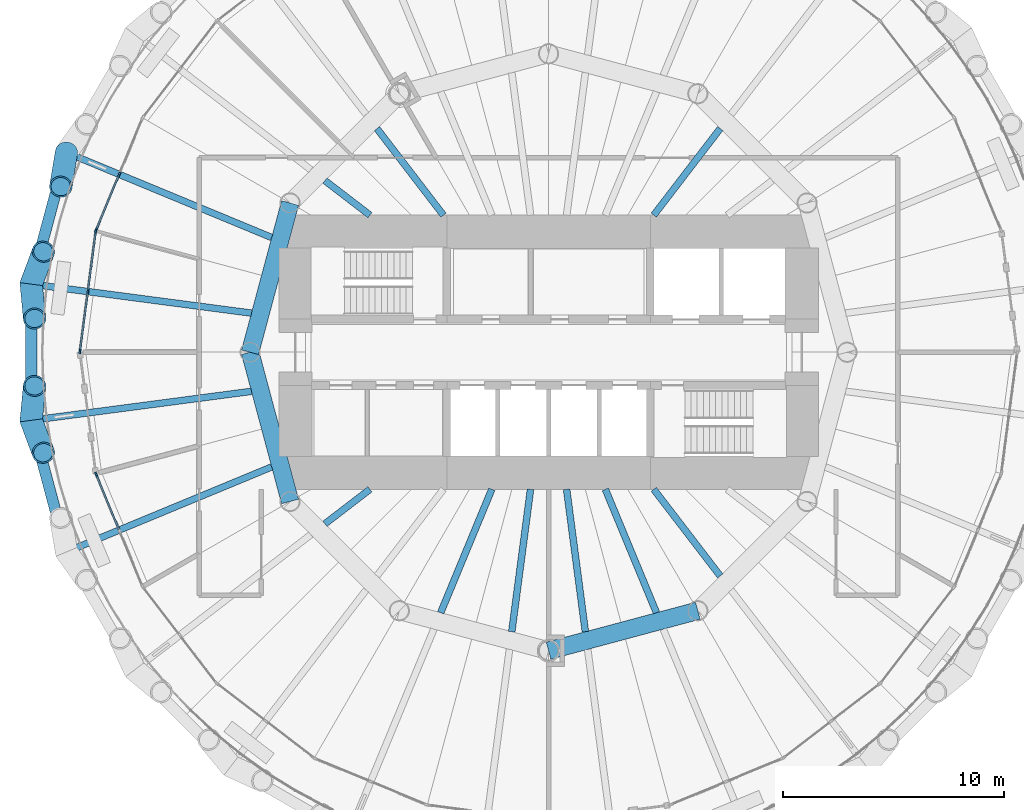
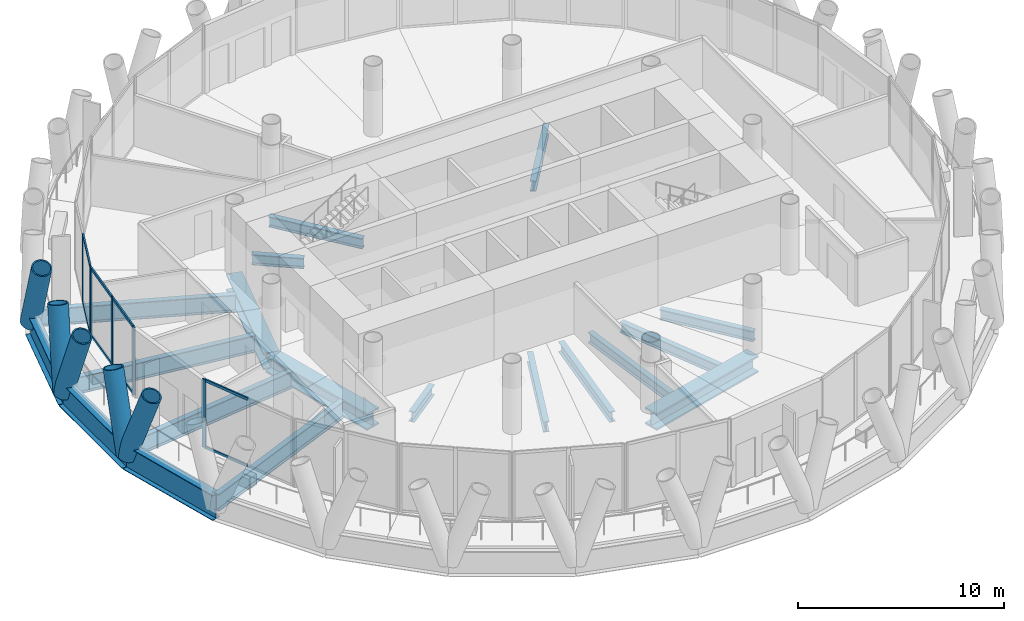
# One storey, part 3 of 14: 19 beams, 19 members, 3 elements without a shape of their own.
"""IFC4 building model written with IfcOpenShell, lengths in metres."""

from ifc_helpers import new_model, si_unit, direction, frame, origin, origin_2d, place, context, subcontext, project, spatial, rectangle, hollow_circle, i_section, extrude, material, material_profile, profile_set, type_object, element, aggregate, save


model = new_model("IFC4")

# Units and contexts
model_context = context("Model", 3, precision=1e-05, world=origin(), true_north=direction((0.0, 1.0)))
body_context = subcontext(model_context, "Body", "Model", "MODEL_VIEW")
ifc_project = project(units=[si_unit("LENGTHUNIT", "METRE"), si_unit("AREAUNIT", "SQUARE_METRE"), si_unit("VOLUMEUNIT", "CUBIC_METRE"), si_unit("PLANEANGLEUNIT", "RADIAN"), si_unit("MASSUNIT", "GRAM", prefix="KILO")], contexts=[model_context])

# Site, building, storey
site_placement = place(None, origin())
site = spatial("IfcSite", under=ifc_project, at=site_placement, CompositionType="ELEMENT")
building_placement = place(site_placement, origin())
building = spatial("IfcBuilding", under=site, at=building_placement, Name="Qaws Media Tower", CompositionType="ELEMENT")
storey_placement = place(building_placement, frame((0.0, 0.0, 202.39990234375)))
storey = spatial("IfcBuildingStorey", under=building, at=storey_placement, Name="L46", CompositionType="ELEMENT", Elevation=202.39990234375)

# Curtain wall, members
ifc_material_1 = material(Name="Aluminium and clear glass", Category="aluminium")
curtain_wall_type = type_object("IfcCurtainWallType", Name="Unitised curtain wall CW-C", PredefinedType="NOTDEFINED", material=ifc_material_1)
curtain_wall_1_placement = place(storey_placement, origin())
curtain_wall_1 = element("IfcCurtainWall", 1, at=curtain_wall_1_placement, inside=storey, type_object=curtain_wall_type, Name="CWC curtain wall L46-11", PredefinedType="NOTDEFINED")
ifc_material_2 = material(Name="Aluminium mullion", Category="aluminium")
ifc_material_profile_1 = material_profile(ifc_material_2, rectangle(XDim=0.080078125, YDim=0.199951171875, at=origin_2d()), Name="80x200")
ifc_profile_set_1 = profile_set([ifc_material_profile_1], Name="Aluminium mullion")
member_type_1 = type_object("IfcMemberType", Name="Curtain wall mullion 80x200", PredefinedType="MULLION", material=ifc_profile_set_1)
member_1_placement = place(storey_placement, frame((40.581298828125, 58.04345703125, 0.0), z_axis=(0.0, 0.0, 1.0), x_axis=(0.923879523321, -0.382683454553, 0.0)))
member_1 = element("IfcMember", 2, at=member_1_placement, type_object=member_type_1, Name="CWC mullion 2", PredefinedType="MULLION", context=body_context, shape_type="SweptSolid", body=[
    extrude(rectangle(XDim=0.080078125, YDim=0.199951171875, at=origin_2d()), origin(), (0.0, 0.0, 1.0), 4.0400390625),
])
member_2_placement = place(storey_placement, frame((39.53759765625, 55.52392578125, 0.0), z_axis=(0.0, 0.0, 1.0), x_axis=(0.923879523321, -0.382683454553, 0.0)))
member_2 = element("IfcMember", 3, at=member_2_placement, type_object=member_type_1, Name="CWC mullion 3", PredefinedType="MULLION", context=body_context, shape_type="SweptSolid", body=[
    extrude(rectangle(XDim=0.080078125, YDim=0.199951171875, at=origin_2d()), origin(), (0.0, 0.0, 1.0), 4.0400390625),
])

curtain_wall_2_placement = place(storey_placement, origin())
curtain_wall_2 = element("IfcCurtainWall", 4, at=curtain_wall_2_placement, inside=storey, type_object=curtain_wall_type, Name="CWC curtain wall L46-12", PredefinedType="NOTDEFINED")
member_3_placement = place(storey_placement, frame((39.51708984375, 55.447265625, 0.0), z_axis=(0.0, 0.0, 1.0), x_axis=(0.991444873411, -0.130526100786, 0.0)))
member_3 = element("IfcMember", 5, at=member_3_placement, type_object=member_type_1, Name="CWC mullion 1", PredefinedType="MULLION", context=body_context, shape_type="SweptSolid", body=[
    extrude(rectangle(XDim=0.080078125, YDim=0.199951171875, at=origin_2d()), origin(), (0.0, 0.0, 1.0), 4.0400390625),
])
member_4_placement = place(storey_placement, frame((39.1611328125, 52.743408203125, 0.0), z_axis=(0.0, 0.0, 1.0), x_axis=(0.991444873411, -0.130526100786, 0.0)))
member_4 = element("IfcMember", 6, at=member_4_placement, type_object=member_type_1, Name="CWC mullion 2", PredefinedType="MULLION", context=body_context, shape_type="SweptSolid", body=[
    extrude(rectangle(XDim=0.080078125, YDim=0.199951171875, at=origin_2d()), origin(), (0.0, 0.0, 1.0), 4.0400390625),
])
member_5_placement = place(storey_placement, frame((38.80517578125, 50.03955078125, 0.0), z_axis=(0.0, 0.0, 1.0), x_axis=(0.991444873411, -0.130526100786, 0.0)))
member_5 = element("IfcMember", 7, at=member_5_placement, type_object=member_type_1, Name="CWC mullion 3", PredefinedType="MULLION", context=body_context, shape_type="SweptSolid", body=[
    extrude(rectangle(XDim=0.080078125, YDim=0.199951171875, at=origin_2d()), origin(), (0.0, 0.0, 1.0), 4.0400390625),
])

# Curtain wall, member
curtain_wall_3_placement = place(storey_placement, origin())
curtain_wall_3 = element("IfcCurtainWall", 8, at=curtain_wall_3_placement, inside=storey, type_object=curtain_wall_type, Name="CWC curtain wall L46-14", PredefinedType="NOTDEFINED")
member_6_placement = place(storey_placement, frame((39.53759765625, 44.47607421875, 0.0), z_axis=(0.0, 0.0, 1.0), x_axis=(0.923879523321, 0.382683454553, 0.0)))
member_6 = element("IfcMember", 9, at=member_6_placement, type_object=member_type_1, Name="CWC mullion 1", PredefinedType="MULLION", context=body_context, shape_type="SweptSolid", body=[
    extrude(rectangle(XDim=0.080078125, YDim=0.199951171875, at=origin_2d()), origin(), (0.0, 0.0, 1.0), 4.0400390625),
])

# Member
ifc_material_3 = material(Name="Aluminium transom", Category="aluminium")
ifc_material_profile_2 = material_profile(ifc_material_3, rectangle(XDim=0.080078125, YDim=0.159912109375, at=origin_2d()), Name="80x160")
ifc_profile_set_2 = profile_set([ifc_material_profile_2], Name="Aluminium transom")
member_type_2 = type_object("IfcMemberType", Name="Curtain wall transom 80x160", PredefinedType="USERDEFINED", material=ifc_profile_set_2)
member_7_placement = place(storey_placement, frame((40.56591796875, 58.006591796875, 0.0400390625), z_axis=(-0.38263687271, -0.923898816777, 0.0), x_axis=(0.923898816777, -0.38263687271, 0.0)))
member_7 = element("IfcMember", 10, at=member_7_placement, type_object=member_type_2, Name="CWC transom 2.1", ObjectType="TRANSOM", PredefinedType="USERDEFINED", context=body_context, shape_type="SweptSolid", body=[
    extrude(rectangle(XDim=0.080078125, YDim=0.159912109375, at=origin_2d()), origin(), (0.0, 0.0, 1.0), 2.647216796875),
])

member_8_placement = place(storey_placement, frame((40.56591796875, 58.006591796875, 4.0), z_axis=(-0.38263687271, -0.923898816777, 0.0), x_axis=(0.923898816777, -0.38263687271, 0.0)))
member_8 = element("IfcMember", 11, at=member_8_placement, type_object=member_type_2, Name="CWC transom 2.2", ObjectType="TRANSOM", PredefinedType="USERDEFINED", context=body_context, shape_type="SweptSolid", body=[
    extrude(rectangle(XDim=0.080078125, YDim=0.159912109375, at=origin_2d()), origin(), (0.0, 0.0, 1.0), 2.647216796875),
])

aggregate(curtain_wall_1, [member_1, member_2, member_7, member_8])

member_9_placement = place(storey_placement, frame((39.511962890625, 55.40771484375, 0.0400390625), z_axis=(-0.130502227239, -0.991448016129, 0.0), x_axis=(0.991448016129, -0.130502227239, 0.0)))
member_9 = element("IfcMember", 12, at=member_9_placement, type_object=member_type_2, Name="CWC transom 1.1", ObjectType="TRANSOM", PredefinedType="USERDEFINED", context=body_context, shape_type="SweptSolid", body=[
    extrude(rectangle(XDim=0.080078125, YDim=0.159912109375, at=origin_2d()), origin(), (0.0, 0.0, 1.0), 2.647216796875),
])

member_10_placement = place(storey_placement, frame((39.511962890625, 55.40771484375, 4.0), z_axis=(-0.130502227239, -0.991448016129, 0.0), x_axis=(0.991448016129, -0.130502227239, 0.0)))
member_10 = element("IfcMember", 13, at=member_10_placement, type_object=member_type_2, Name="CWC transom 1.2", ObjectType="TRANSOM", PredefinedType="USERDEFINED", context=body_context, shape_type="SweptSolid", body=[
    extrude(rectangle(XDim=0.080078125, YDim=0.159912109375, at=origin_2d()), origin(), (0.0, 0.0, 1.0), 2.647216796875),
])

member_11_placement = place(storey_placement, frame((39.156005859375, 52.703857421875, 0.0400390625), z_axis=(-0.130502227239, -0.991448016129, 0.0), x_axis=(0.991448016129, -0.130502227239, 0.0)))
member_11 = element("IfcMember", 14, at=member_11_placement, type_object=member_type_2, Name="CWC transom 2.1", ObjectType="TRANSOM", PredefinedType="USERDEFINED", context=body_context, shape_type="SweptSolid", body=[
    extrude(rectangle(XDim=0.080078125, YDim=0.159912109375, at=origin_2d()), origin(), (0.0, 0.0, 1.0), 2.647216796875),
])

member_12_placement = place(storey_placement, frame((39.156005859375, 52.703857421875, 4.0), z_axis=(-0.130502227239, -0.991448016129, 0.0), x_axis=(0.991448016129, -0.130502227239, 0.0)))
member_12 = element("IfcMember", 15, at=member_12_placement, type_object=member_type_2, Name="CWC transom 2.2", ObjectType="TRANSOM", PredefinedType="USERDEFINED", context=body_context, shape_type="SweptSolid", body=[
    extrude(rectangle(XDim=0.080078125, YDim=0.159912109375, at=origin_2d()), origin(), (0.0, 0.0, 1.0), 2.647216796875),
])

aggregate(curtain_wall_2, [member_3, member_4, member_5, member_9, member_10, member_11, member_12])

member_13_placement = place(storey_placement, frame((39.552978515625, 44.439208984375, 0.0400390625), z_axis=(0.38263687271, -0.923898816777, 0.0), x_axis=(0.923898816777, 0.38263687271, 0.0)))
member_13 = element("IfcMember", 16, at=member_13_placement, type_object=member_type_2, Name="CWC transom 1.1", ObjectType="TRANSOM", PredefinedType="USERDEFINED", context=body_context, shape_type="SweptSolid", body=[
    extrude(rectangle(XDim=0.080078125, YDim=0.159912109375, at=origin_2d()), origin(), (0.0, 0.0, 1.0), 2.647216796875),
])

member_14_placement = place(storey_placement, frame((39.552978515625, 44.439208984375, 4.0), z_axis=(0.38263687271, -0.923898816777, 0.0), x_axis=(0.923898816777, 0.38263687271, 0.0)))
member_14 = element("IfcMember", 17, at=member_14_placement, type_object=member_type_2, Name="CWC transom 1.2", ObjectType="TRANSOM", PredefinedType="USERDEFINED", context=body_context, shape_type="SweptSolid", body=[
    extrude(rectangle(XDim=0.080078125, YDim=0.159912109375, at=origin_2d()), origin(), (0.0, 0.0, 1.0), 2.647216796875),
])

aggregate(curtain_wall_3, [member_6, member_13, member_14])

# Members
ifc_material_4 = material(Name="Steel S460", Category="steel")
ifc_material_profile_3 = material_profile(ifc_material_4, hollow_circle(Radius=0.508056640625, WallThickness=0.070068359375, at=origin_2d()), Name="CHS 1016x70")
ifc_profile_set_3 = profile_set([ifc_material_profile_3], Name="Steel S460")
member_type_3 = type_object("IfcMemberType", Name="Diagrid member CHS 1016x70", PredefinedType="USERDEFINED", material=ifc_profile_set_3)
for number, where, z_axis, x_axis, name in (
    (18, (38.196533203125, 59.03125, -0.909912109375), (-0.058017977607, -0.34402209257, 0.937167388516), (0.986075579143, -0.166297781756, 0.0), "DG3 diagrid L46 A11"),
    (19, (36.601806640625, 53.080322265625, -0.909912109375), (0.03306773811, -0.347292966152, 0.937173473994), (0.995497577829, 0.094786985058, 0.0), "DG3 diagrid L46 A12"),
):
    element("IfcMember", number, at=place(storey_placement, frame(where, z_axis=z_axis, x_axis=x_axis)), inside=storey, type_object=member_type_3, Name=name, ObjectType="DIAGRID", PredefinedType="USERDEFINED", context=body_context, shape_type="SweptSolid", body=[
        extrude(hollow_circle(Radius=0.508056640625, WallThickness=0.070068359375, at=origin_2d()), origin(), (0.0, 0.0, 1.0), 4.4814453125),
    ])
for number, where, z_axis, x_axis, name in (
    (20, (36.601806640625, 53.080322265625, -0.909912109375), (0.121808661832, 0.326965826616, 0.937153134834), (-0.937084117818, 0.349103646691, 0.0), "DG3 diagrid L46 B12"),
    (21, (36.601806640625, 46.919677734375, -0.909912109375), (0.121808661832, -0.326965826616, 0.937153134834), (0.937084117818, 0.349103646691, 0.0), "DG3 diagrid L46 A13"),
):
    element("IfcMember", number, at=place(storey_placement, frame(where, z_axis=z_axis, x_axis=x_axis)), inside=storey, type_object=member_type_3, Name=name, ObjectType="DIAGRID", PredefinedType="USERDEFINED", context=body_context, shape_type="SweptSolid", body=[
        extrude(hollow_circle(Radius=0.508056640625, WallThickness=0.070068359375, at=origin_2d()), origin(), (0.0, 0.0, 1.0), 4.481689453125),
    ])
member_15_placement = place(storey_placement, frame((36.601806640625, 46.919677734375, -0.909912109375), z_axis=(0.03306773811, 0.347292966152, 0.937173473994), x_axis=(-0.995497577829, 0.094786985058, 0.0)))
element("IfcMember", 22, at=member_15_placement, inside=storey, type_object=member_type_3, Name="DG3 diagrid L46 B13", ObjectType="DIAGRID", PredefinedType="USERDEFINED", context=body_context, shape_type="SweptSolid", body=[
    extrude(hollow_circle(Radius=0.508056640625, WallThickness=0.070068359375, at=origin_2d()), origin(), (0.0, 0.0, 1.0), 4.4814453125),
])

# Beams
ifc_material_5 = material(Name="Steel S460", Category="steel")
ifc_material_profile_4 = material_profile(ifc_material_5, i_section(OverallWidth=0.5, OverallDepth=1.5, WebThickness=0.02001953125, FlangeThickness=0.0400390625, at=origin_2d()), Name="PG 1500x500")
ifc_profile_set_4 = profile_set([ifc_material_profile_4], Name="Steel S460")
beam_type_1 = type_object("IfcBeamType", Name="Edge ring beam PG 1500x500", PredefinedType="BEAM", material=ifc_profile_set_4)
beam_1_placement = place(storey_placement, frame((38.196533203125, 59.03125, -0.909912109375), z_axis=(-0.258846347058, -0.965918510339, 0.0), x_axis=(0.965918510339, -0.258846347058, 0.0)))
element("IfcBeam", 23, at=beam_1_placement, inside=storey, type_object=beam_type_1, Name="RB4 edge ring beam L46-11", PredefinedType="BEAM", context=body_context, shape_type="SweptSolid", body=[
    extrude(i_section(OverallWidth=0.5, OverallDepth=1.5, WebThickness=0.02001953125, FlangeThickness=0.0400390625, at=origin_2d()), origin(), (0.0, 0.0, 1.0), 6.160888671875),
])
beam_2_placement = place(storey_placement, frame((36.601806640625, 53.080322265625, -0.909912109375), z_axis=(0.0, -1.0, 0.0), x_axis=(1.0, 0.0, 0.0)))
element("IfcBeam", 24, at=beam_2_placement, inside=storey, type_object=beam_type_1, Name="RB4 edge ring beam L46-12", PredefinedType="BEAM", context=body_context, shape_type="SweptSolid", body=[
    extrude(i_section(OverallWidth=0.5, OverallDepth=1.5, WebThickness=0.02001953125, FlangeThickness=0.0400390625, at=origin_2d()), origin(), (0.0, 0.0, 1.0), 6.16064453125),
])
beam_3_placement = place(storey_placement, frame((36.601806640625, 46.919677734375, -0.909912109375), z_axis=(0.258846347058, -0.965918510339, 0.0), x_axis=(0.965918510339, 0.258846347058, 0.0)))
element("IfcBeam", 25, at=beam_3_placement, inside=storey, type_object=beam_type_1, Name="RB4 edge ring beam L46-13", PredefinedType="BEAM", context=body_context, shape_type="SweptSolid", body=[
    extrude(i_section(OverallWidth=0.5, OverallDepth=1.5, WebThickness=0.02001953125, FlangeThickness=0.0400390625, at=origin_2d()), origin(), (0.0, 0.0, 1.0), 6.160888671875),
])
ifc_material_6 = material(Name="Steel S460", Category="steel")
ifc_material_profile_5 = material_profile(ifc_material_6, i_section(OverallWidth=0.800048828125, OverallDepth=1.0, WebThickness=0.0400390625, FlangeThickness=0.10009765625, at=origin_2d()), Name="PG 1000x800")
ifc_profile_set_5 = profile_set([ifc_material_profile_5], Name="Steel S460")
beam_type_2 = type_object("IfcBeamType", Name="Inner ring girder PG 1000x800", PredefinedType="BEAM", material=ifc_profile_set_5)
for number, where, z_axis, x_axis, name in (
    (26, (48.30859375, 56.75, -0.659912109375), (-0.258810593767, -0.965928090778, 0.0), (0.965928090778, -0.258810593767, 0.0), "B3 inner ring beam L46 I06-I07"),
    (27, (46.5, 50.0, -0.659912109375), (0.258810593767, -0.965928090778, 0.0), (0.965928090778, 0.258810593767, 0.0), "B3 inner ring beam L46 I07-I08"),
    (28, (60.0, 36.5, -0.659912109375), (0.965928090778, 0.258810593767, 0.0), (-0.258810593767, 0.965928090778, 0.0), "B3 inner ring beam L46 I10-I11"),
):
    element("IfcBeam", number, at=place(storey_placement, frame(where, z_axis=z_axis, x_axis=x_axis)), inside=storey, type_object=beam_type_2, Name=name, PredefinedType="BEAM", context=body_context, shape_type="SweptSolid", body=[
        extrude(i_section(OverallWidth=0.800048828125, OverallDepth=1.0, WebThickness=0.0400390625, FlangeThickness=0.10009765625, at=origin_2d()), origin(), (0.0, 0.0, 1.0), 6.988037109375),
    ])
ifc_material_7 = material(Name="Steel S355", Category="steel")
ifc_material_profile_6 = material_profile(ifc_material_7, i_section(OverallWidth=0.302001953125, OverallDepth=1.008056640625, WebThickness=0.02099609375, FlangeThickness=0.0400390625, FilletRadius=0.030029296875, at=origin_2d()), Name="HE 1000 M")
ifc_profile_set_6 = profile_set([ifc_material_profile_6], Name="Steel S355")
beam_type_3 = type_object("IfcBeamType", Name="Radial beam HE 1000 M", PredefinedType="BEAM", material=ifc_profile_set_6)
beam_4_placement = place(storey_placement, frame((47.475830078125, 55.187744140625, -0.663818359375), z_axis=(-0.923883219985, 0.382674529894, 0.0), x_axis=(-0.382674529894, -0.923883219985, 0.0)))
element("IfcBeam", 29, at=beam_4_placement, inside=storey, type_object=beam_type_3, Name="B1 radial beam L46 11", PredefinedType="BEAM", context=body_context, shape_type="SweptSolid", body=[
    extrude(i_section(OverallWidth=0.302001953125, OverallDepth=1.008056640625, WebThickness=0.02099609375, FlangeThickness=0.0400390625, FilletRadius=0.030029296875, at=origin_2d()), origin(), (0.0, 0.0, 1.0), 10.043701171875),
])
for number, where, z_axis, x_axis, name in (
    (30, (46.56005859375, 51.769287109375, -0.663818359375), (-0.991444778722, 0.130526820019, 0.0), (-0.130526820019, -0.991444778722, 0.0), "B1 radial beam L46 12"),
    (31, (46.56005859375, 48.230712890625, -0.663818359375), (-0.991444778722, -0.130526820019, 0.0), (0.130526820019, -0.991444778722, 0.0), "B1 radial beam L46 13"),
):
    element("IfcBeam", number, at=place(storey_placement, frame(where, z_axis=z_axis, x_axis=x_axis)), inside=storey, type_object=beam_type_3, Name=name, PredefinedType="BEAM", context=body_context, shape_type="SweptSolid", body=[
        extrude(i_section(OverallWidth=0.302001953125, OverallDepth=1.008056640625, WebThickness=0.02099609375, FlangeThickness=0.0400390625, FilletRadius=0.030029296875, at=origin_2d()), origin(), (0.0, 0.0, 1.0), 10.044189453125),
    ])
beam_5_placement = place(storey_placement, frame((47.475830078125, 44.812255859375, -0.663818359375), z_axis=(-0.923883219985, -0.382674529894, 0.0), x_axis=(0.382674529894, -0.923883219985, 0.0)))
element("IfcBeam", 32, at=beam_5_placement, inside=storey, type_object=beam_type_3, Name="B1 radial beam L46 14", PredefinedType="BEAM", context=body_context, shape_type="SweptSolid", body=[
    extrude(i_section(OverallWidth=0.302001953125, OverallDepth=1.008056640625, WebThickness=0.02099609375, FlangeThickness=0.0400390625, FilletRadius=0.030029296875, at=origin_2d()), origin(), (0.0, 0.0, 1.0), 10.043701171875),
])
ifc_material_8 = material(Name="Steel S355", Category="steel")
ifc_material_profile_7 = material_profile(ifc_material_8, i_section(OverallWidth=0.304931640625, OverallDepth=0.6201171875, WebThickness=0.02099609375, FlangeThickness=0.0400390625, FilletRadius=0.027099609375, at=origin_2d()), Name="HE 600 M")
ifc_profile_set_7 = profile_set([ifc_material_profile_7], Name="Steel S355")
beam_type_4 = type_object("IfcBeamType", Name="Radial beam HE 600 M, core side", PredefinedType="BEAM", material=ifc_profile_set_7)
for number, where, z_axis, x_axis, name in (
    (33, (64.75732421875, 56.199951171875, -0.469970703125), (0.60878257667, 0.793337112672, 0.0), (-0.793337112672, 0.60878257667, 0.0), "B2 radial beam L46 04"),
    (34, (55.24267578125, 56.199951171875, -0.469970703125), (-0.60878257667, 0.793337112672, 0.0), (-0.793337112672, -0.60878257667, 0.0), "B2 radial beam L46 09"),
):
    element("IfcBeam", number, at=place(storey_placement, frame(where, z_axis=z_axis, x_axis=x_axis)), inside=storey, type_object=beam_type_4, Name=name, PredefinedType="BEAM", context=body_context, shape_type="SweptSolid", body=[
        extrude(i_section(OverallWidth=0.304931640625, OverallDepth=0.6201171875, WebThickness=0.02099609375, FlangeThickness=0.0400390625, FilletRadius=0.027099609375, at=origin_2d()), origin(), (0.0, 0.0, 1.0), 4.934326171875),
    ])
for number, where, z_axis, x_axis, name in (
    (35, (51.919921875, 56.199951171875, -0.469970703125), (-0.793313603331, 0.608813211725, 0.0), (-0.608813211725, -0.793313603331, 0.0), "B2 radial beam L46 10"),
    (36, (51.919921875, 43.800048828125, -0.469970703125), (-0.793313603331, -0.608813211725, 0.0), (0.608813211725, -0.793313603331, 0.0), "B2 radial beam L46 15"),
):
    element("IfcBeam", number, at=place(storey_placement, frame(where, z_axis=z_axis, x_axis=x_axis)), inside=storey, type_object=beam_type_4, Name=name, PredefinedType="BEAM", context=body_context, shape_type="SweptSolid", body=[
        extrude(i_section(OverallWidth=0.304931640625, OverallDepth=0.6201171875, WebThickness=0.02099609375, FlangeThickness=0.0400390625, FilletRadius=0.027099609375, at=origin_2d()), origin(), (0.0, 0.0, 1.0), 2.564453125),
    ])
beam_6_placement = place(storey_placement, frame((57.431884765625, 43.800048828125, -0.469970703125), z_axis=(-0.38269102823, -0.923876386165, 0.0), x_axis=(0.923876386165, -0.38269102823, 0.0)))
element("IfcBeam", 37, at=beam_6_placement, inside=storey, type_object=beam_type_4, Name="B2 radial beam L46 17", PredefinedType="BEAM", context=body_context, shape_type="SweptSolid", body=[
    extrude(i_section(OverallWidth=0.304931640625, OverallDepth=0.6201171875, WebThickness=0.02099609375, FlangeThickness=0.0400390625, FilletRadius=0.027099609375, at=origin_2d()), origin(), (0.0, 0.0, 1.0), 6.038330078125),
])
for number, where, z_axis, x_axis, name in (
    (38, (59.183837890625, 43.800048828125, -0.469970703125), (-0.130536183005, -0.991443546011, 0.0), (0.991443546011, -0.130536183005, 0.0), "B2 radial beam L46 18"),
    (39, (60.816162109375, 43.800048828125, -0.469970703125), (0.130536183005, -0.991443546011, 0.0), (0.991443546011, 0.130536183005, 0.0), "B2 radial beam L46 19"),
):
    element("IfcBeam", number, at=place(storey_placement, frame(where, z_axis=z_axis, x_axis=x_axis)), inside=storey, type_object=beam_type_4, Name=name, PredefinedType="BEAM", context=body_context, shape_type="SweptSolid", body=[
        extrude(i_section(OverallWidth=0.304931640625, OverallDepth=0.6201171875, WebThickness=0.02099609375, FlangeThickness=0.0400390625, FilletRadius=0.027099609375, at=origin_2d()), origin(), (0.0, 0.0, 1.0), 6.49560546875),
    ])
beam_7_placement = place(storey_placement, frame((62.568115234375, 43.800048828125, -0.469970703125), z_axis=(0.38269102823, -0.923876386165, 0.0), x_axis=(0.923876386165, 0.38269102823, 0.0)))
element("IfcBeam", 40, at=beam_7_placement, inside=storey, type_object=beam_type_4, Name="B2 radial beam L46 20", PredefinedType="BEAM", context=body_context, shape_type="SweptSolid", body=[
    extrude(i_section(OverallWidth=0.304931640625, OverallDepth=0.6201171875, WebThickness=0.02099609375, FlangeThickness=0.0400390625, FilletRadius=0.027099609375, at=origin_2d()), origin(), (0.0, 0.0, 1.0), 6.038330078125),
])
beam_8_placement = place(storey_placement, frame((64.75732421875, 43.800048828125, -0.469970703125), z_axis=(0.60878257667, -0.793337112672, 0.0), x_axis=(0.793337112672, 0.60878257667, 0.0)))
element("IfcBeam", 41, at=beam_8_placement, inside=storey, type_object=beam_type_4, Name="B2 radial beam L46 21", PredefinedType="BEAM", context=body_context, shape_type="SweptSolid", body=[
    extrude(i_section(OverallWidth=0.304931640625, OverallDepth=0.6201171875, WebThickness=0.02099609375, FlangeThickness=0.0400390625, FilletRadius=0.027099609375, at=origin_2d()), origin(), (0.0, 0.0, 1.0), 4.934326171875),
])

save(model, "model.ifc")
